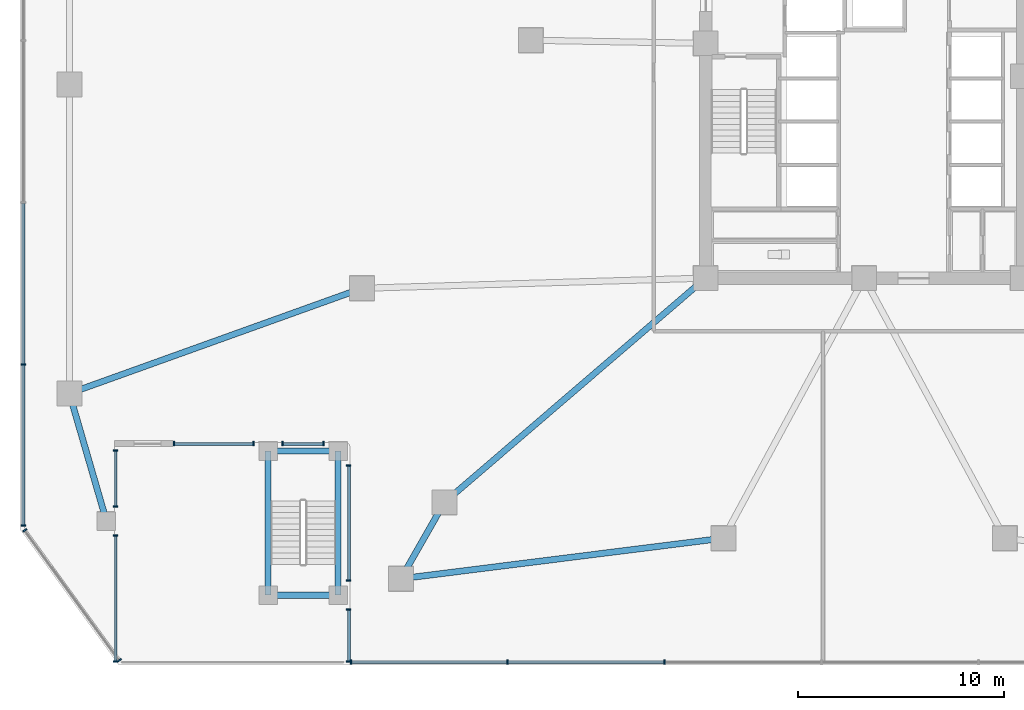
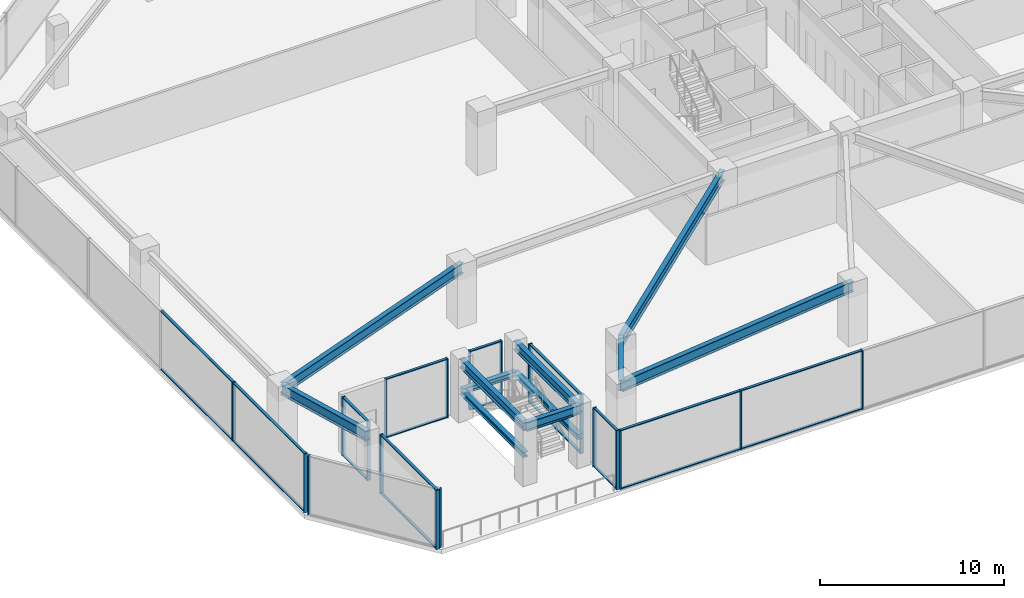
# One storey, part 2 of 21: 39 members, 11 beams, 9 elements without a shape of their own.
"""IFC4 building model written with IfcOpenShell, lengths in metres."""

from ifc_helpers import new_model, si_unit, direction, frame, origin, origin_2d, place, context, subcontext, project, spatial, rectangle, i_section, extrude, material, material_profile, profile_set, type_object, element, aggregate, save


model = new_model("IFC4")

# Units and contexts
model_context = context("Model", 3, precision=1e-05, world=origin(), true_north=direction((0.0, 1.0)))
body_context = subcontext(model_context, "Body", "Model", "MODEL_VIEW")
ifc_project = project(units=[si_unit("LENGTHUNIT", "METRE"), si_unit("AREAUNIT", "SQUARE_METRE"), si_unit("VOLUMEUNIT", "CUBIC_METRE"), si_unit("PLANEANGLEUNIT", "RADIAN"), si_unit("MASSUNIT", "GRAM", prefix="KILO")], contexts=[model_context])

# Site, building, storey
site_placement = place(None, origin())
site = spatial("IfcSite", under=ifc_project, at=site_placement, CompositionType="ELEMENT")
building_placement = place(site_placement, origin())
building = spatial("IfcBuilding", under=site, at=building_placement, Name="Savorim Split Tower", CompositionType="ELEMENT")
storey_placement = place(building_placement, frame((0.0, 0.0, 5.0)))
storey = spatial("IfcBuildingStorey", under=building, at=storey_placement, Name="L01", CompositionType="ELEMENT", Elevation=5.0)

# Beams
ifc_material_1 = material(Name="Steel S355", Category="steel")
ifc_material_profile_1 = material_profile(ifc_material_1, i_section(OverallWidth=0.300048828125, OverallDepth=0.60009765625, WebThickness=0.015380859375, FlangeThickness=0.030029296875, FilletRadius=0.027099609375, at=origin_2d()), Name="HEB 600")
ifc_profile_set_1 = profile_set([ifc_material_profile_1], Name="Steel S355")
beam_type_1 = type_object("IfcBeamType", Name="BM-PRI-HEB600", PredefinedType="BEAM", material=ifc_profile_set_1)
beam_1_placement = place(storey_placement, frame((-28.949951171875, -24.800048828125, 3.6201171875), z_axis=(1.0, 0.0, 0.0), x_axis=(0.0, 1.0, 0.0)))
element("IfcBeam", 1, at=beam_1_placement, inside=storey, type_object=beam_type_1, Name="L01 Exterior Garden Stair Framing Beam 1", PredefinedType="BEAM", context=body_context, shape_type="SweptSolid", body=[
    extrude(i_section(OverallWidth=0.300048828125, OverallDepth=0.60009765625, WebThickness=0.015380859375, FlangeThickness=0.030029296875, FilletRadius=0.027099609375, at=origin_2d()), origin(), (0.0, 0.0, 1.0), 3.39990234375),
])
for number, where, z_axis, x_axis, name in (
    (2, (-28.949951171875, -24.800048828125, 3.6201171875), (0.0, 1.0, 0.0), (-1.0, 0.0, 0.0), "L01 Exterior Garden Stair Framing Beam 3"),
    (3, (-25.550048828125, -24.800048828125, 3.6201171875), (0.0, 1.0, 0.0), (-1.0, 0.0, 0.0), "L01 Exterior Garden Stair Framing Beam 4"),
):
    element("IfcBeam", number, at=place(storey_placement, frame(where, z_axis=z_axis, x_axis=x_axis)), inside=storey, type_object=beam_type_1, Name=name, PredefinedType="BEAM", context=body_context, shape_type="SweptSolid", body=[
        extrude(i_section(OverallWidth=0.300048828125, OverallDepth=0.60009765625, WebThickness=0.015380859375, FlangeThickness=0.030029296875, FilletRadius=0.027099609375, at=origin_2d()), origin(), (0.0, 0.0, 1.0), 7.0),
    ])
ifc_material_profile_2 = material_profile(ifc_material_1, i_section(OverallWidth=0.300048828125, OverallDepth=0.699951171875, WebThickness=0.01708984375, FlangeThickness=0.031982421875, FilletRadius=0.027099609375, at=origin_2d()), Name="HEB 700")
ifc_profile_set_2 = profile_set([ifc_material_profile_2], Name="Steel S355")
beam_type_2 = type_object("IfcBeamType", Name="BM-PRI-HEB700", PredefinedType="BEAM", material=ifc_profile_set_2)
beam_2_placement = place(storey_placement, frame((-22.5, -24.0, 3.570068359375), z_axis=(0.495603085314, 0.868549124591, 0.0), x_axis=(-0.868549124591, 0.495603085314, 0.0)))
element("IfcBeam", 4, at=beam_2_placement, inside=storey, type_object=beam_type_2, Name="L01 Podium Primary Girder BG-01", PredefinedType="BEAM", context=body_context, shape_type="SweptSolid", body=[
    extrude(i_section(OverallWidth=0.300048828125, OverallDepth=0.699951171875, WebThickness=0.01708984375, FlangeThickness=0.031982421875, FilletRadius=0.027099609375, at=origin_2d()), origin(), (0.0, 0.0, 1.0), 4.26953125),
])
beam_3_placement = place(storey_placement, frame((-22.5, -24.0, 3.570068359375), z_axis=(0.992201816191, 0.124641710303, 0.0), x_axis=(-0.124641710303, 0.992201816191, 0.0)))
element("IfcBeam", 5, at=beam_3_placement, inside=storey, type_object=beam_type_2, Name="L01 Podium Primary Girder BG-02", PredefinedType="BEAM", context=body_context, shape_type="SweptSolid", body=[
    extrude(i_section(OverallWidth=0.300048828125, OverallDepth=0.699951171875, WebThickness=0.01708984375, FlangeThickness=0.031982421875, FilletRadius=0.027099609375, at=origin_2d()), origin(), (0.0, 0.0, 1.0), 15.791259765625),
])
beam_4_placement = place(storey_placement, frame((-38.60009765625, -15.0, 3.570068359375), z_axis=(0.941138119123, 0.338022248874, 0.0), x_axis=(-0.338022248874, 0.941138119123, 0.0)))
element("IfcBeam", 6, at=beam_4_placement, inside=storey, type_object=beam_type_2, Name="L01 Podium Primary Girder BG-19", PredefinedType="BEAM", context=body_context, shape_type="SweptSolid", body=[
    extrude(i_section(OverallWidth=0.300048828125, OverallDepth=0.699951171875, WebThickness=0.01708984375, FlangeThickness=0.031982421875, FilletRadius=0.027099609375, at=origin_2d()), origin(), (0.0, 0.0, 1.0), 15.104736328125),
])
beam_5_placement = place(storey_placement, frame((-38.60009765625, -15.0, 3.570068359375), z_axis=(0.278819195264, -0.960343613689, 0.0), x_axis=(0.960343613689, 0.278819195264, 0.0)))
element("IfcBeam", 7, at=beam_5_placement, inside=storey, type_object=beam_type_2, Name="L01 Podium Primary Girder BG-20", PredefinedType="BEAM", context=body_context, shape_type="SweptSolid", body=[
    extrude(i_section(OverallWidth=0.300048828125, OverallDepth=0.699951171875, WebThickness=0.01708984375, FlangeThickness=0.031982421875, FilletRadius=0.027099609375, at=origin_2d()), origin(), (0.0, 0.0, 1.0), 6.4560546875),
])
beam_6_placement = place(storey_placement, frame((-20.384033203125, -20.291748046875, 3.570068359375), z_axis=(0.758671842154, 0.651472974054, 0.0), x_axis=(-0.651472974054, 0.758671842154, 0.0)))
element("IfcBeam", 8, at=beam_6_placement, inside=storey, type_object=beam_type_2, Name="L01 Podium Primary Girder BG-22", PredefinedType="BEAM", context=body_context, shape_type="SweptSolid", body=[
    extrude(i_section(OverallWidth=0.300048828125, OverallDepth=0.699951171875, WebThickness=0.01708984375, FlangeThickness=0.031982421875, FilletRadius=0.027099609375, at=origin_2d()), origin(), (0.0, 0.0, 1.0), 16.71875),
])
ifc_material_profile_3 = material_profile(ifc_material_1, i_section(OverallWidth=0.300048828125, OverallDepth=0.35009765625, WebThickness=0.010009765625, FlangeThickness=0.017578125, FilletRadius=0.027099609375, at=origin_2d()), Name="HEA 360")
ifc_profile_set_3 = profile_set([ifc_material_profile_3], Name="Steel S355")
beam_type_3 = type_object("IfcBeamType", Name="BM-SPN-HEA360", PredefinedType="SPANDREL", material=ifc_profile_set_3)
beam_7_placement = place(storey_placement, frame((-28.949951171875, -17.800048828125, 1.72509765625), z_axis=(1.0, 0.0, 0.0), x_axis=(0.0, 1.0, 0.0)))
element("IfcBeam", 9, at=beam_7_placement, inside=storey, type_object=beam_type_3, Name="L01 Garden Stair Half-Landing Beam 1", PredefinedType="SPANDREL", context=body_context, shape_type="SweptSolid", body=[
    extrude(i_section(OverallWidth=0.300048828125, OverallDepth=0.35009765625, WebThickness=0.010009765625, FlangeThickness=0.017578125, FilletRadius=0.027099609375, at=origin_2d()), origin(), (0.0, 0.0, 1.0), 3.39990234375),
])
for number, where, z_axis, x_axis, name in (
    (10, (-28.949951171875, -24.800048828125, 1.72509765625), (0.0, 1.0, 0.0), (-1.0, 0.0, 0.0), "L01 Garden Stair Half-Landing Beam 2"),
    (11, (-25.550048828125, -24.800048828125, 1.72509765625), (0.0, 1.0, 0.0), (-1.0, 0.0, 0.0), "L01 Garden Stair Half-Landing Beam 3"),
):
    element("IfcBeam", number, at=place(storey_placement, frame(where, z_axis=z_axis, x_axis=x_axis)), inside=storey, type_object=beam_type_3, Name=name, PredefinedType="SPANDREL", context=body_context, shape_type="SweptSolid", body=[
        extrude(i_section(OverallWidth=0.300048828125, OverallDepth=0.35009765625, WebThickness=0.010009765625, FlangeThickness=0.017578125, FilletRadius=0.027099609375, at=origin_2d()), origin(), (0.0, 0.0, 1.0), 7.0),
    ])

# Curtain wall, members
ifc_material_2 = material(Name="Dark Ceramic-Fritted Insulated Glass", Category="glass")
curtain_wall_type = type_object("IfcCurtainWallType", Name="CW-POD-GLZ", PredefinedType="NOTDEFINED", material=ifc_material_2)
curtain_wall_1_placement = place(storey_placement, origin())
curtain_wall_1 = element("IfcCurtainWall", 12, at=curtain_wall_1_placement, inside=storey, type_object=curtain_wall_type, Name="L01 Curtain Wall CW-L01-E01S1", PredefinedType="NOTDEFINED")
ifc_material_3 = material(Name="Charcoal Anodised Aluminium", Category="aluminium")
ifc_material_profile_4 = material_profile(ifc_material_3, rectangle(XDim=0.219970703125, YDim=0.070068359375, at=origin_2d()), Name="ALU-M 220x70")
ifc_profile_set_4 = profile_set([ifc_material_profile_4], Name="Charcoal Anodised Aluminium")
member_type_1 = type_object("IfcMemberType", Name="CWM-220x70", PredefinedType="MULLION", material=ifc_profile_set_4)
member_1_placement = place(storey_placement, frame((-36.360107421875, -28.02490234375, 0.0), z_axis=(0.0, 0.0, 1.0), x_axis=(-1.0, 0.0, 0.0)))
member_1 = element("IfcMember", 13, at=member_1_placement, type_object=member_type_1, Name="CW-01 mullion 1", PredefinedType="MULLION", context=body_context, shape_type="SweptSolid", body=[
    extrude(rectangle(XDim=0.219970703125, YDim=0.070068359375, at=origin_2d()), origin(), (0.0, 0.0, 1.0), 3.919921875),
])
member_2_placement = place(storey_placement, frame((-36.360107421875, -21.905029296875, 0.0), z_axis=(0.0, 0.0, 1.0), x_axis=(-1.0, 0.0, 0.0)))
member_2 = element("IfcMember", 14, at=member_2_placement, type_object=member_type_1, Name="CW-01 mullion 2", PredefinedType="MULLION", context=body_context, shape_type="SweptSolid", body=[
    extrude(rectangle(XDim=0.219970703125, YDim=0.070068359375, at=origin_2d()), origin(), (0.0, 0.0, 1.0), 3.919921875),
])

curtain_wall_2_placement = place(storey_placement, origin())
curtain_wall_2 = element("IfcCurtainWall", 15, at=curtain_wall_2_placement, inside=storey, type_object=curtain_wall_type, Name="L01 Curtain Wall CW-L01-E01S2", PredefinedType="NOTDEFINED")
member_3_placement = place(storey_placement, frame((-36.360107421875, -20.4951171875, 0.0), z_axis=(0.0, 0.0, 1.0), x_axis=(-1.0, 0.0, 0.0)))
member_3 = element("IfcMember", 16, at=member_3_placement, type_object=member_type_1, Name="CW-01 mullion 1", PredefinedType="MULLION", context=body_context, shape_type="SweptSolid", body=[
    extrude(rectangle(XDim=0.219970703125, YDim=0.070068359375, at=origin_2d()), origin(), (0.0, 0.0, 1.0), 3.919921875),
])
member_4_placement = place(storey_placement, frame((-36.360107421875, -17.77490234375, 0.0), z_axis=(0.0, 0.0, 1.0), x_axis=(-1.0, 0.0, 0.0)))
member_4 = element("IfcMember", 17, at=member_4_placement, type_object=member_type_1, Name="CW-01 mullion 2", PredefinedType="MULLION", context=body_context, shape_type="SweptSolid", body=[
    extrude(rectangle(XDim=0.219970703125, YDim=0.070068359375, at=origin_2d()), origin(), (0.0, 0.0, 1.0), 3.919921875),
])

curtain_wall_3_placement = place(storey_placement, origin())
curtain_wall_3 = element("IfcCurtainWall", 18, at=curtain_wall_3_placement, inside=storey, type_object=curtain_wall_type, Name="L01 Curtain Wall CW-L01-E02S1", PredefinedType="NOTDEFINED")
member_5_placement = place(storey_placement, frame((-33.52490234375, -17.43994140625, 0.0), z_axis=(0.0, 0.0, 1.0), x_axis=(0.0, 1.0, 0.0)))
member_5 = element("IfcMember", 19, at=member_5_placement, type_object=member_type_1, Name="CW-01 mullion 1", PredefinedType="MULLION", context=body_context, shape_type="SweptSolid", body=[
    extrude(rectangle(XDim=0.219970703125, YDim=0.070068359375, at=origin_2d()), origin(), (0.0, 0.0, 1.0), 3.919921875),
])
member_6_placement = place(storey_placement, frame((-29.655029296875, -17.43994140625, 0.0), z_axis=(0.0, 0.0, 1.0), x_axis=(0.0, 1.0, 0.0)))
member_6 = element("IfcMember", 20, at=member_6_placement, type_object=member_type_1, Name="CW-01 mullion 2", PredefinedType="MULLION", context=body_context, shape_type="SweptSolid", body=[
    extrude(rectangle(XDim=0.219970703125, YDim=0.070068359375, at=origin_2d()), origin(), (0.0, 0.0, 1.0), 3.919921875),
])

curtain_wall_4_placement = place(storey_placement, origin())
curtain_wall_4 = element("IfcCurtainWall", 21, at=curtain_wall_4_placement, inside=storey, type_object=curtain_wall_type, Name="L01 Curtain Wall CW-L01-E02S2", PredefinedType="NOTDEFINED")
member_7_placement = place(storey_placement, frame((-28.2451171875, -17.43994140625, 0.0), z_axis=(0.0, 0.0, 1.0), x_axis=(0.0, 1.0, 0.0)))
member_7 = element("IfcMember", 22, at=member_7_placement, type_object=member_type_1, Name="CW-01 mullion 1", PredefinedType="MULLION", context=body_context, shape_type="SweptSolid", body=[
    extrude(rectangle(XDim=0.219970703125, YDim=0.070068359375, at=origin_2d()), origin(), (0.0, 0.0, 1.0), 3.919921875),
])
member_8_placement = place(storey_placement, frame((-26.2548828125, -17.43994140625, 0.0), z_axis=(0.0, 0.0, 1.0), x_axis=(0.0, 1.0, 0.0)))
member_8 = element("IfcMember", 23, at=member_8_placement, type_object=member_type_1, Name="CW-01 mullion 2", PredefinedType="MULLION", context=body_context, shape_type="SweptSolid", body=[
    extrude(rectangle(XDim=0.219970703125, YDim=0.070068359375, at=origin_2d()), origin(), (0.0, 0.0, 1.0), 3.919921875),
])

curtain_wall_5_placement = place(storey_placement, origin())
curtain_wall_5 = element("IfcCurtainWall", 24, at=curtain_wall_5_placement, inside=storey, type_object=curtain_wall_type, Name="L01 Curtain Wall CW-L01-E03S1", PredefinedType="NOTDEFINED")
member_9_placement = place(storey_placement, frame((-25.0400390625, -18.5048828125, 0.0), z_axis=(0.0, 0.0, 1.0), x_axis=(1.0, 0.0, 0.0)))
member_9 = element("IfcMember", 25, at=member_9_placement, type_object=member_type_1, Name="CW-01 mullion 1", PredefinedType="MULLION", context=body_context, shape_type="SweptSolid", body=[
    extrude(rectangle(XDim=0.219970703125, YDim=0.070068359375, at=origin_2d()), origin(), (0.0, 0.0, 1.0), 3.919921875),
])
member_10_placement = place(storey_placement, frame((-25.0400390625, -24.094970703125, 0.0), z_axis=(0.0, 0.0, 1.0), x_axis=(1.0, 0.0, 0.0)))
member_10 = element("IfcMember", 26, at=member_10_placement, type_object=member_type_1, Name="CW-01 mullion 2", PredefinedType="MULLION", context=body_context, shape_type="SweptSolid", body=[
    extrude(rectangle(XDim=0.219970703125, YDim=0.070068359375, at=origin_2d()), origin(), (0.0, 0.0, 1.0), 3.919921875),
])

curtain_wall_6_placement = place(storey_placement, origin())
curtain_wall_6 = element("IfcCurtainWall", 27, at=curtain_wall_6_placement, inside=storey, type_object=curtain_wall_type, Name="L01 Curtain Wall CW-L01-E03S2", PredefinedType="NOTDEFINED")
member_11_placement = place(storey_placement, frame((-25.0400390625, -25.5048828125, 0.0), z_axis=(0.0, 0.0, 1.0), x_axis=(1.0, 0.0, 0.0)))
member_11 = element("IfcMember", 28, at=member_11_placement, type_object=member_type_1, Name="CW-01 mullion 1", PredefinedType="MULLION", context=body_context, shape_type="SweptSolid", body=[
    extrude(rectangle(XDim=0.219970703125, YDim=0.070068359375, at=origin_2d()), origin(), (0.0, 0.0, 1.0), 3.919921875),
])
member_12_placement = place(storey_placement, frame((-25.0400390625, -28.02490234375, 0.0), z_axis=(0.0, 0.0, 1.0), x_axis=(1.0, 0.0, 0.0)))
member_12 = element("IfcMember", 29, at=member_12_placement, type_object=member_type_1, Name="CW-01 mullion 2", PredefinedType="MULLION", context=body_context, shape_type="SweptSolid", body=[
    extrude(rectangle(XDim=0.219970703125, YDim=0.070068359375, at=origin_2d()), origin(), (0.0, 0.0, 1.0), 3.919921875),
])

curtain_wall_7_placement = place(storey_placement, origin())
curtain_wall_7 = element("IfcCurtainWall", 30, at=curtain_wall_7_placement, inside=storey, type_object=curtain_wall_type, Name="L01 Curtain Wall CW-L01-E04", PredefinedType="NOTDEFINED")
member_13_placement = place(storey_placement, frame((-24.919921875, -28.0400390625, 0.0), z_axis=(0.0, 0.0, 1.0), x_axis=(0.0, 1.0, 0.0)))
member_13 = element("IfcMember", 31, at=member_13_placement, type_object=member_type_1, Name="CW-01 mullion 1", PredefinedType="MULLION", context=body_context, shape_type="SweptSolid", body=[
    extrude(rectangle(XDim=0.219970703125, YDim=0.070068359375, at=origin_2d()), origin(), (0.0, 0.0, 1.0), 3.919921875),
])
member_14_placement = place(storey_placement, frame((-17.328125, -28.0400390625, 0.0), z_axis=(0.0, 0.0, 1.0), x_axis=(0.0, 1.0, 0.0)))
member_14 = element("IfcMember", 32, at=member_14_placement, type_object=member_type_1, Name="CW-01 mullion 2", PredefinedType="MULLION", context=body_context, shape_type="SweptSolid", body=[
    extrude(rectangle(XDim=0.219970703125, YDim=0.070068359375, at=origin_2d()), origin(), (0.0, 0.0, 1.0), 3.919921875),
])
member_15_placement = place(storey_placement, frame((-9.701171875, -28.0400390625, 0.0), z_axis=(0.0, 0.0, 1.0), x_axis=(0.0, 1.0, 0.0)))
member_15 = element("IfcMember", 33, at=member_15_placement, type_object=member_type_1, Name="CW-01 mullion 3", PredefinedType="MULLION", context=body_context, shape_type="SweptSolid", body=[
    extrude(rectangle(XDim=0.219970703125, YDim=0.070068359375, at=origin_2d()), origin(), (0.0, 0.0, 1.0), 3.919921875),
])

curtain_wall_8_placement = place(storey_placement, origin())
curtain_wall_8 = element("IfcCurtainWall", 34, at=curtain_wall_8_placement, inside=storey, type_object=curtain_wall_type, Name="L01 Curtain Wall CW-L01-E10", PredefinedType="NOTDEFINED")
member_16_placement = place(storey_placement, frame((-40.840087890625, -13.595947265625, 0.0), z_axis=(0.0, 0.0, 1.0), x_axis=(1.0, 0.0, 0.0)))
member_16 = element("IfcMember", 35, at=member_16_placement, type_object=member_type_1, Name="CW-01 mullion 5", PredefinedType="MULLION", context=body_context, shape_type="SweptSolid", body=[
    extrude(rectangle(XDim=0.219970703125, YDim=0.070068359375, at=origin_2d()), origin(), (0.0, 0.0, 1.0), 3.919921875),
])
member_17_placement = place(storey_placement, frame((-40.840087890625, -21.425048828125, 0.0), z_axis=(0.0, 0.0, 1.0), x_axis=(1.0, 0.0, 0.0)))
member_17 = element("IfcMember", 36, at=member_17_placement, type_object=member_type_1, Name="CW-01 mullion 6", PredefinedType="MULLION", context=body_context, shape_type="SweptSolid", body=[
    extrude(rectangle(XDim=0.219970703125, YDim=0.070068359375, at=origin_2d()), origin(), (0.0, 0.0, 1.0), 3.919921875),
])

curtain_wall_9_placement = place(storey_placement, origin())
curtain_wall_9 = element("IfcCurtainWall", 37, at=curtain_wall_9_placement, inside=storey, type_object=curtain_wall_type, Name="L01 Curtain Wall CW-L01-E11", PredefinedType="NOTDEFINED")
member_18_placement = place(storey_placement, frame((-40.767822265625, -21.6474609375, 0.0), z_axis=(0.0, 0.0, 1.0), x_axis=(0.808732792063, 0.588176224478, 0.0)))
member_18 = element("IfcMember", 38, at=member_18_placement, type_object=member_type_1, Name="CW-01 mullion 1", PredefinedType="MULLION", context=body_context, shape_type="SweptSolid", body=[
    extrude(rectangle(XDim=0.219970703125, YDim=0.070068359375, at=origin_2d()), origin(), (0.0, 0.0, 1.0), 3.919921875),
])
member_19_placement = place(storey_placement, frame((-36.173583984375, -27.96435546875, 0.0), z_axis=(0.0, 0.0, 1.0), x_axis=(0.808732792063, 0.588176224478, 0.0)))
member_19 = element("IfcMember", 39, at=member_19_placement, type_object=member_type_1, Name="CW-01 mullion 2", PredefinedType="MULLION", context=body_context, shape_type="SweptSolid", body=[
    extrude(rectangle(XDim=0.219970703125, YDim=0.070068359375, at=origin_2d()), origin(), (0.0, 0.0, 1.0), 3.919921875),
])
aggregate(curtain_wall_9, [member_18, member_19])

# Member
ifc_material_profile_5 = material_profile(ifc_material_3, rectangle(XDim=0.159912109375, YDim=0.06005859375, at=origin_2d()), Name="ALU-T 160x60")
ifc_profile_set_5 = profile_set([ifc_material_profile_5], Name="Charcoal Anodised Aluminium")
member_type_2 = type_object("IfcMemberType", Name="CWT-160x60", PredefinedType="USERDEFINED", material=ifc_profile_set_5)
member_20_placement = place(storey_placement, frame((-36.360107421875, -27.989990234375, 0.030029296875), z_axis=(0.0, 1.0, 0.0), x_axis=(-1.0, 0.0, 0.0)))
member_20 = element("IfcMember", 40, at=member_20_placement, type_object=member_type_2, Name="CW-01 transom 1.1", ObjectType="TRANSOM", PredefinedType="USERDEFINED", context=body_context, shape_type="SweptSolid", body=[
    extrude(rectangle(XDim=0.159912109375, YDim=0.06005859375, at=origin_2d()), origin(), (0.0, 0.0, 1.0), 6.050048828125),
])

member_21_placement = place(storey_placement, frame((-36.360107421875, -27.989990234375, 3.889892578125), z_axis=(0.0, 1.0, 0.0), x_axis=(-1.0, 0.0, 0.0)))
member_21 = element("IfcMember", 41, at=member_21_placement, type_object=member_type_2, Name="CW-01 transom 1.2", ObjectType="TRANSOM", PredefinedType="USERDEFINED", context=body_context, shape_type="SweptSolid", body=[
    extrude(rectangle(XDim=0.159912109375, YDim=0.06005859375, at=origin_2d()), origin(), (0.0, 0.0, 1.0), 6.050048828125),
])

aggregate(curtain_wall_1, [member_1, member_2, member_20, member_21])

member_22_placement = place(storey_placement, frame((-36.360107421875, -20.4599609375, 0.030029296875), z_axis=(0.0, 1.0, 0.0), x_axis=(-1.0, 0.0, 0.0)))
member_22 = element("IfcMember", 42, at=member_22_placement, type_object=member_type_2, Name="CW-01 transom 1.1", ObjectType="TRANSOM", PredefinedType="USERDEFINED", context=body_context, shape_type="SweptSolid", body=[
    extrude(rectangle(XDim=0.159912109375, YDim=0.06005859375, at=origin_2d()), origin(), (0.0, 0.0, 1.0), 2.64990234375),
])

member_23_placement = place(storey_placement, frame((-36.360107421875, -20.4599609375, 3.889892578125), z_axis=(0.0, 1.0, 0.0), x_axis=(-1.0, 0.0, 0.0)))
member_23 = element("IfcMember", 43, at=member_23_placement, type_object=member_type_2, Name="CW-01 transom 1.2", ObjectType="TRANSOM", PredefinedType="USERDEFINED", context=body_context, shape_type="SweptSolid", body=[
    extrude(rectangle(XDim=0.159912109375, YDim=0.06005859375, at=origin_2d()), origin(), (0.0, 0.0, 1.0), 2.64990234375),
])

aggregate(curtain_wall_2, [member_3, member_4, member_22, member_23])

member_24_placement = place(storey_placement, frame((-33.489990234375, -17.43994140625, 0.030029296875), z_axis=(1.0, 0.0, 0.0), x_axis=(0.0, 1.0, 0.0)))
member_24 = element("IfcMember", 44, at=member_24_placement, type_object=member_type_2, Name="CW-01 transom 1.1", ObjectType="TRANSOM", PredefinedType="USERDEFINED", context=body_context, shape_type="SweptSolid", body=[
    extrude(rectangle(XDim=0.159912109375, YDim=0.06005859375, at=origin_2d()), origin(), (0.0, 0.0, 1.0), 3.800048828125),
])

member_25_placement = place(storey_placement, frame((-33.489990234375, -17.43994140625, 3.889892578125), z_axis=(1.0, 0.0, 0.0), x_axis=(0.0, 1.0, 0.0)))
member_25 = element("IfcMember", 45, at=member_25_placement, type_object=member_type_2, Name="CW-01 transom 1.2", ObjectType="TRANSOM", PredefinedType="USERDEFINED", context=body_context, shape_type="SweptSolid", body=[
    extrude(rectangle(XDim=0.159912109375, YDim=0.06005859375, at=origin_2d()), origin(), (0.0, 0.0, 1.0), 3.800048828125),
])

aggregate(curtain_wall_3, [member_5, member_6, member_24, member_25])

member_26_placement = place(storey_placement, frame((-28.2099609375, -17.43994140625, 0.030029296875), z_axis=(1.0, 0.0, 0.0), x_axis=(0.0, 1.0, 0.0)))
member_26 = element("IfcMember", 46, at=member_26_placement, type_object=member_type_2, Name="CW-01 transom 1.1", ObjectType="TRANSOM", PredefinedType="USERDEFINED", context=body_context, shape_type="SweptSolid", body=[
    extrude(rectangle(XDim=0.159912109375, YDim=0.06005859375, at=origin_2d()), origin(), (0.0, 0.0, 1.0), 1.919921875),
])

member_27_placement = place(storey_placement, frame((-28.2099609375, -17.43994140625, 3.889892578125), z_axis=(1.0, 0.0, 0.0), x_axis=(0.0, 1.0, 0.0)))
member_27 = element("IfcMember", 47, at=member_27_placement, type_object=member_type_2, Name="CW-01 transom 1.2", ObjectType="TRANSOM", PredefinedType="USERDEFINED", context=body_context, shape_type="SweptSolid", body=[
    extrude(rectangle(XDim=0.159912109375, YDim=0.06005859375, at=origin_2d()), origin(), (0.0, 0.0, 1.0), 1.919921875),
])

aggregate(curtain_wall_4, [member_7, member_8, member_26, member_27])

member_28_placement = place(storey_placement, frame((-25.0400390625, -18.5400390625, 0.030029296875), z_axis=(0.0, -1.0, 0.0), x_axis=(1.0, 0.0, 0.0)))
member_28 = element("IfcMember", 48, at=member_28_placement, type_object=member_type_2, Name="CW-01 transom 1.1", ObjectType="TRANSOM", PredefinedType="USERDEFINED", context=body_context, shape_type="SweptSolid", body=[
    extrude(rectangle(XDim=0.159912109375, YDim=0.06005859375, at=origin_2d()), origin(), (0.0, 0.0, 1.0), 5.52001953125),
])

member_29_placement = place(storey_placement, frame((-25.0400390625, -18.5400390625, 3.889892578125), z_axis=(0.0, -1.0, 0.0), x_axis=(1.0, 0.0, 0.0)))
member_29 = element("IfcMember", 49, at=member_29_placement, type_object=member_type_2, Name="CW-01 transom 1.2", ObjectType="TRANSOM", PredefinedType="USERDEFINED", context=body_context, shape_type="SweptSolid", body=[
    extrude(rectangle(XDim=0.159912109375, YDim=0.06005859375, at=origin_2d()), origin(), (0.0, 0.0, 1.0), 5.52001953125),
])

aggregate(curtain_wall_5, [member_9, member_10, member_28, member_29])

member_30_placement = place(storey_placement, frame((-25.0400390625, -25.5400390625, 0.030029296875), z_axis=(0.0, -1.0, 0.0), x_axis=(1.0, 0.0, 0.0)))
member_30 = element("IfcMember", 50, at=member_30_placement, type_object=member_type_2, Name="CW-01 transom 1.1", ObjectType="TRANSOM", PredefinedType="USERDEFINED", context=body_context, shape_type="SweptSolid", body=[
    extrude(rectangle(XDim=0.159912109375, YDim=0.06005859375, at=origin_2d()), origin(), (0.0, 0.0, 1.0), 2.449951171875),
])

member_31_placement = place(storey_placement, frame((-25.0400390625, -25.5400390625, 3.889892578125), z_axis=(0.0, -1.0, 0.0), x_axis=(1.0, 0.0, 0.0)))
member_31 = element("IfcMember", 51, at=member_31_placement, type_object=member_type_2, Name="CW-01 transom 1.2", ObjectType="TRANSOM", PredefinedType="USERDEFINED", context=body_context, shape_type="SweptSolid", body=[
    extrude(rectangle(XDim=0.159912109375, YDim=0.06005859375, at=origin_2d()), origin(), (0.0, 0.0, 1.0), 2.449951171875),
])

aggregate(curtain_wall_6, [member_11, member_12, member_30, member_31])

member_32_placement = place(storey_placement, frame((-24.885009765625, -28.0400390625, 0.030029296875), z_axis=(1.0, 0.0, 0.0), x_axis=(0.0, 1.0, 0.0)))
member_32 = element("IfcMember", 52, at=member_32_placement, type_object=member_type_2, Name="CW-01 transom 1.1", ObjectType="TRANSOM", PredefinedType="USERDEFINED", context=body_context, shape_type="SweptSolid", body=[
    extrude(rectangle(XDim=0.159912109375, YDim=0.06005859375, at=origin_2d()), origin(), (0.0, 0.0, 1.0), 7.52197265625),
])

member_33_placement = place(storey_placement, frame((-24.885009765625, -28.0400390625, 3.889892578125), z_axis=(1.0, 0.0, 0.0), x_axis=(0.0, 1.0, 0.0)))
member_33 = element("IfcMember", 53, at=member_33_placement, type_object=member_type_2, Name="CW-01 transom 1.2", ObjectType="TRANSOM", PredefinedType="USERDEFINED", context=body_context, shape_type="SweptSolid", body=[
    extrude(rectangle(XDim=0.159912109375, YDim=0.06005859375, at=origin_2d()), origin(), (0.0, 0.0, 1.0), 7.52197265625),
])

member_34_placement = place(storey_placement, frame((-17.293212890625, -28.0400390625, 0.030029296875), z_axis=(1.0, 0.0, 0.0), x_axis=(0.0, 1.0, 0.0)))
member_34 = element("IfcMember", 54, at=member_34_placement, type_object=member_type_2, Name="CW-01 transom 2.1", ObjectType="TRANSOM", PredefinedType="USERDEFINED", context=body_context, shape_type="SweptSolid", body=[
    extrude(rectangle(XDim=0.159912109375, YDim=0.06005859375, at=origin_2d()), origin(), (0.0, 0.0, 1.0), 7.556884765625),
])

member_35_placement = place(storey_placement, frame((-17.293212890625, -28.0400390625, 3.889892578125), z_axis=(1.0, 0.0, 0.0), x_axis=(0.0, 1.0, 0.0)))
member_35 = element("IfcMember", 55, at=member_35_placement, type_object=member_type_2, Name="CW-01 transom 2.2", ObjectType="TRANSOM", PredefinedType="USERDEFINED", context=body_context, shape_type="SweptSolid", body=[
    extrude(rectangle(XDim=0.159912109375, YDim=0.06005859375, at=origin_2d()), origin(), (0.0, 0.0, 1.0), 7.556884765625),
])

aggregate(curtain_wall_7, [member_13, member_14, member_15, member_32, member_33, member_34, member_35])

member_36_placement = place(storey_placement, frame((-40.840087890625, -5.76708984375, 0.030029296875), z_axis=(0.0, -1.0, 0.0), x_axis=(1.0, 0.0, 0.0)))
member_36 = element("IfcMember", 56, at=member_36_placement, type_object=member_type_2, Name="CW-01 transom 4.1", ObjectType="TRANSOM", PredefinedType="USERDEFINED", context=body_context, shape_type="SweptSolid", body=[
    extrude(rectangle(XDim=0.159912109375, YDim=0.06005859375, at=origin_2d()), origin(), (0.0, 0.0, 1.0), 7.7939453125),
])

member_37_placement = place(storey_placement, frame((-40.840087890625, -5.76708984375, 3.889892578125), z_axis=(0.0, -1.0, 0.0), x_axis=(1.0, 0.0, 0.0)))
member_37 = element("IfcMember", 57, at=member_37_placement, type_object=member_type_2, Name="CW-01 transom 4.2", ObjectType="TRANSOM", PredefinedType="USERDEFINED", context=body_context, shape_type="SweptSolid", body=[
    extrude(rectangle(XDim=0.159912109375, YDim=0.06005859375, at=origin_2d()), origin(), (0.0, 0.0, 1.0), 7.7939453125),
])

member_38_placement = place(storey_placement, frame((-40.840087890625, -13.631103515625, 0.030029296875), z_axis=(0.0, -1.0, 0.0), x_axis=(1.0, 0.0, 0.0)))
member_38 = element("IfcMember", 58, at=member_38_placement, type_object=member_type_2, Name="CW-01 transom 5.1", ObjectType="TRANSOM", PredefinedType="USERDEFINED", context=body_context, shape_type="SweptSolid", body=[
    extrude(rectangle(XDim=0.159912109375, YDim=0.06005859375, at=origin_2d()), origin(), (0.0, 0.0, 1.0), 7.7587890625),
])

member_39_placement = place(storey_placement, frame((-40.840087890625, -13.631103515625, 3.889892578125), z_axis=(0.0, -1.0, 0.0), x_axis=(1.0, 0.0, 0.0)))
member_39 = element("IfcMember", 59, at=member_39_placement, type_object=member_type_2, Name="CW-01 transom 5.2", ObjectType="TRANSOM", PredefinedType="USERDEFINED", context=body_context, shape_type="SweptSolid", body=[
    extrude(rectangle(XDim=0.159912109375, YDim=0.06005859375, at=origin_2d()), origin(), (0.0, 0.0, 1.0), 7.7587890625),
])

aggregate(curtain_wall_8, [member_16, member_17, member_36, member_37, member_38, member_39])

save(model, "model.ifc")
